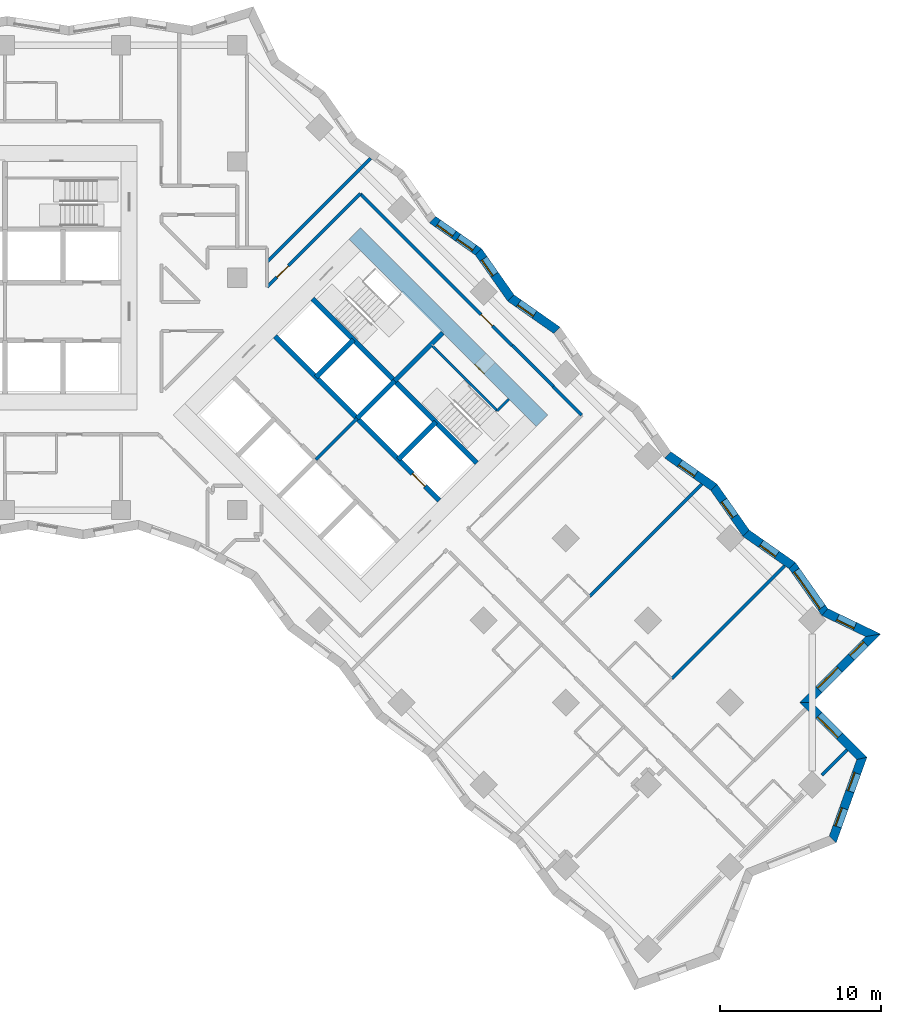
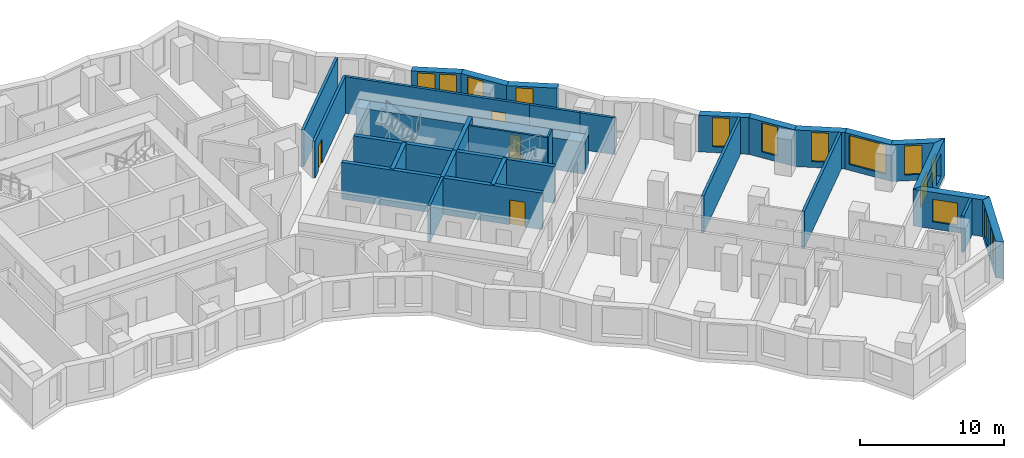
# One storey, part 9 of 12: 30 walls, 14 windows, 4 doors, 18 openings.
"""IFC4 building model written with IfcOpenShell, lengths in metres."""

from ifc_helpers import new_model, si_unit, direction, frame, frame_2d, origin, place, context, subcontext, project, spatial, polyline, rectangle, outline, extrude, material, layer, layer_set, type_object, element, fill, save


model = new_model("IFC4")

# Units and contexts
model_context = context("Model", 3, precision=1e-05, world=origin(), true_north=direction((0.0, 1.0)))
body_context = subcontext(model_context, "Body", "Model", "MODEL_VIEW")
ifc_project = project(units=[si_unit("LENGTHUNIT", "METRE"), si_unit("AREAUNIT", "SQUARE_METRE"), si_unit("VOLUMEUNIT", "CUBIC_METRE"), si_unit("PLANEANGLEUNIT", "RADIAN"), si_unit("MASSUNIT", "GRAM", prefix="KILO")], contexts=[model_context])

# Site, building, storey
site_placement = place(None, origin())
site = spatial("IfcSite", under=ifc_project, at=site_placement, CompositionType="ELEMENT")
building_placement = place(site_placement, origin())
building = spatial("IfcBuilding", under=site, at=building_placement, Name="Windrow Commons", CompositionType="ELEMENT")
storey_placement = place(building_placement, frame((0.0, 0.0, 61.0)))
storey = spatial("IfcBuildingStorey", under=building, at=storey_placement, Name="L16", CompositionType="ELEMENT", Elevation=61.0)

# Wall, openings, windows
ifc_material_1 = material(Name="Brick masonry, red clay brick", Category="masonry")
ifc_layer_1 = layer(ifc_material_1, 0.55)
ifc_layer_set_1 = layer_set([ifc_layer_1], Name="Brick facade wall 550")
wall_type_1 = type_object("IfcWallType", Name="Brick facade wall 550", PredefinedType="SOLIDWALL", material=ifc_layer_set_1)
wall_1_placement = place(storey_placement, frame((116.1058, 22.7825, 0.0), z_axis=(0.0, 0.0, 1.0), x_axis=(0.3387725306, 0.9408683077, 0.0)))
wall_1 = element("IfcWall", 1, at=wall_1_placement, inside=storey, type_object=wall_type_1, Name="Brick facade wall L16 4", PredefinedType="SOLIDWALL", context=body_context, shape_type="SweptSolid", body=[
    extrude(outline(polyline([(-0.124, -0.275), (5.5132, -0.275), (5.1641, 0.275), (0.124, 0.275), (-0.124, -0.275)])), origin(), (0.0, 0.0, 1.0), 3.1),
])
opening_1_placement = place(wall_1_placement, frame((0.8467, 0.0, 0.5)))
opening_1 = element("IfcOpeningElement", 2, at=opening_1_placement, cuts=wall_1, Name="Opening W7D", PredefinedType="OPENING", context=body_context, shape_type="SweptSolid", body=[
    extrude(rectangle(XDim=1.2, YDim=2.45, at=frame_2d((0.6, 1.225))), frame((0.0, 0.285, 0.0), z_axis=(0.0, -1.0, 0.0), x_axis=(1.0, 0.0, 0.0)), (0.0, 0.0, 1.0), 0.57),
])
opening_2_placement = place(wall_1_placement, frame((3.1668, 0.0, 0.5)))
opening_2 = element("IfcOpeningElement", 3, at=opening_2_placement, cuts=wall_1, Name="Opening W7D", PredefinedType="OPENING", context=body_context, shape_type="SweptSolid", body=[
    extrude(rectangle(XDim=1.2, YDim=2.45, at=frame_2d((0.6, 1.225))), frame((0.0, 0.285, 0.0), z_axis=(0.0, -1.0, 0.0), x_axis=(1.0, 0.0, 0.0)), (0.0, 0.0, 1.0), 0.57),
])
ifc_material_2 = material(Name="Clear float glass in anodised aluminium frame", Category="aluminium")
window_type_1 = type_object("IfcWindowType", Name="Window W7 notch 1200x2450", PartitioningType="SINGLE_PANEL", PredefinedType="WINDOW", material=ifc_material_2)
window_1_placement = place(opening_1_placement, origin())
window_1 = element("IfcWindow", 4, at=window_1_placement, inside=storey, type_object=window_type_1, Name="Window L16 4.1", OverallHeight=2.45, OverallWidth=1.2, PartitioningType="SINGLE_PANEL", PredefinedType="WINDOW", context=body_context, shape_type="SweptSolid", body=[
    extrude(rectangle(XDim=1.2, YDim=2.45, at=frame_2d((0.6, 1.225))), frame((0.0, 0.155, 0.0), z_axis=(0.0, -1.0, 0.0), x_axis=(1.0, 0.0, 0.0)), (0.0, 0.0, 1.0), 0.06),
])
fill(opening_1, window_1)
window_2_placement = place(opening_2_placement, origin())
window_2 = element("IfcWindow", 5, at=window_2_placement, inside=storey, type_object=window_type_1, Name="Window L16 4.2", OverallHeight=2.45, OverallWidth=1.2, PartitioningType="SINGLE_PANEL", PredefinedType="WINDOW", context=body_context, shape_type="SweptSolid", body=[
    extrude(rectangle(XDim=1.2, YDim=2.45, at=frame_2d((0.6, 1.225))), frame((0.0, 0.155, 0.0), z_axis=(0.0, -1.0, 0.0), x_axis=(1.0, 0.0, 0.0)), (0.0, 0.0, 1.0), 0.06),
])
fill(opening_2, window_2)

# Wall, opening, window
wall_2_placement = place(storey_placement, frame((117.9144, 27.8055, 0.0), z_axis=(0.0, 0.0, 1.0), x_axis=(-0.7071067812, 0.7071067812, 0.0)))
wall_2 = element("IfcWall", 6, at=wall_2_placement, inside=storey, type_object=wall_type_1, Name="Brick facade wall L16 5", PredefinedType="SOLIDWALL", context=body_context, shape_type="SweptSolid", body=[
    extrude(outline(polyline([(-0.1745, -0.275), (4.6255, -0.275), (5.1754, 0.275), (0.1745, 0.275), (-0.1745, -0.275)])), origin(), (0.0, 0.0, 1.0), 3.1),
])
opening_3_placement = place(wall_2_placement, frame((1.963, 0.0, 0.6)))
opening_3 = element("IfcOpeningElement", 7, at=opening_3_placement, cuts=wall_2, Name="Opening W1L", PredefinedType="OPENING", context=body_context, shape_type="SweptSolid", body=[
    extrude(rectangle(XDim=1.8, YDim=1.9, at=frame_2d((0.9, 0.95))), frame((0.0, 0.285, 0.0), z_axis=(0.0, -1.0, 0.0), x_axis=(1.0, 0.0, 0.0)), (0.0, 0.0, 1.0), 0.57),
])
ifc_material_3 = material(Name="Clear float glass in anodised aluminium frame", Category="aluminium")
window_type_2 = type_object("IfcWindowType", Name="Window W1L bedroom 1800x1900", PartitioningType="SINGLE_PANEL", PredefinedType="WINDOW", material=ifc_material_3)
window_3_placement = place(opening_3_placement, origin())
window_3 = element("IfcWindow", 8, at=window_3_placement, inside=storey, type_object=window_type_2, Name="Window L16 5.1", OverallHeight=1.9, OverallWidth=1.8, PartitioningType="SINGLE_PANEL", PredefinedType="WINDOW", context=body_context, shape_type="SweptSolid", body=[
    extrude(rectangle(XDim=1.8, YDim=1.9, at=frame_2d((0.9, 0.95))), frame((0.0, 0.155, 0.0), z_axis=(0.0, -1.0, 0.0), x_axis=(1.0, 0.0, 0.0)), (0.0, 0.0, 1.0), 0.06),
])
fill(opening_3, window_3)

# Wall, openings, windows
wall_3_placement = place(storey_placement, frame((114.4493, 31.2706, 0.0), z_axis=(0.0, 0.0, 1.0), x_axis=(0.7070982928, 0.7071152695, 0.0)))
wall_3 = element("IfcWall", 9, at=wall_3_placement, inside=storey, type_object=wall_type_1, Name="Brick facade wall L16 6", PredefinedType="SOLIDWALL", context=body_context, shape_type="SweptSolid", body=[
    extrude(outline(polyline([(0.275, -0.275), (6.278, -0.275), (5.5029, 0.275), (-0.275, 0.275), (0.275, -0.275)])), origin(), (0.0, 0.0, 1.0), 3.1),
])
opening_4_placement = place(wall_3_placement, frame((1.1375, 0.0, 0.6)))
opening_4 = element("IfcOpeningElement", 10, at=opening_4_placement, cuts=wall_3, Name="Opening W1L", PredefinedType="OPENING", context=body_context, shape_type="SweptSolid", body=[
    extrude(rectangle(XDim=1.8, YDim=1.9, at=frame_2d((0.9, 0.95))), frame((0.0, 0.285, 0.0), z_axis=(0.0, -1.0, 0.0), x_axis=(1.0, 0.0, 0.0)), (0.0, 0.0, 1.0), 0.57),
])
opening_5_placement = place(wall_3_placement, frame((3.9889, 0.0, 0.6)))
opening_5 = element("IfcOpeningElement", 11, at=opening_5_placement, cuts=wall_3, Name="Opening W7G", PredefinedType="OPENING", context=body_context, shape_type="SweptSolid", body=[
    extrude(rectangle(XDim=1.2, YDim=1.9, at=frame_2d((0.6, 0.95))), frame((0.0, 0.285, 0.0), z_axis=(0.0, -1.0, 0.0), x_axis=(1.0, 0.0, 0.0)), (0.0, 0.0, 1.0), 0.57),
])
window_4_placement = place(opening_4_placement, origin())
window_4 = element("IfcWindow", 12, at=window_4_placement, inside=storey, type_object=window_type_2, Name="Window L16 6.1", OverallHeight=1.9, OverallWidth=1.8, PartitioningType="SINGLE_PANEL", PredefinedType="WINDOW", context=body_context, shape_type="SweptSolid", body=[
    extrude(rectangle(XDim=1.8, YDim=1.9, at=frame_2d((0.9, 0.95))), frame((0.0, 0.155, 0.0), z_axis=(0.0, -1.0, 0.0), x_axis=(1.0, 0.0, 0.0)), (0.0, 0.0, 1.0), 0.06),
])
fill(opening_4, window_4)
ifc_material_4 = material(Name="Clear float glass in anodised aluminium frame", Category="aluminium")
window_type_3 = type_object("IfcWindowType", Name="Window W7 notch 1200x1900", PartitioningType="SINGLE_PANEL", PredefinedType="WINDOW", material=ifc_material_4)
window_5_placement = place(opening_5_placement, origin())
window_5 = element("IfcWindow", 13, at=window_5_placement, inside=storey, type_object=window_type_3, Name="Window L16 6.2", OverallHeight=1.9, OverallWidth=1.2, PartitioningType="SINGLE_PANEL", PredefinedType="WINDOW", context=body_context, shape_type="SweptSolid", body=[
    extrude(rectangle(XDim=1.2, YDim=1.9, at=frame_2d((0.6, 0.95))), frame((0.0, 0.155, 0.0), z_axis=(0.0, -1.0, 0.0), x_axis=(1.0, 0.0, 0.0)), (0.0, 0.0, 1.0), 0.06),
])
fill(opening_5, window_5)

# Wall, opening, window
wall_4_placement = place(storey_placement, frame((118.6144, 35.4358, 0.0), z_axis=(0.0, 0.0, 1.0), x_axis=(-0.9009968815, 0.4338255634, 0.0)))
wall_4 = element("IfcWall", 14, at=wall_4_placement, inside=storey, type_object=wall_type_1, Name="Brick facade wall L16 7", PredefinedType="SOLIDWALL", context=body_context, shape_type="SweptSolid", body=[
    extrude(outline(polyline([(-0.3876, -0.275), (3.254, -0.275), (3.3975, 0.275), (0.3876, 0.275), (-0.3876, -0.275)])), origin(), (0.0, 0.0, 1.0), 3.1),
])
opening_6_placement = place(wall_4_placement, frame((1.2567, 0.0, 0.5)))
opening_6 = element("IfcOpeningElement", 15, at=opening_6_placement, cuts=wall_4, Name="Opening W7D", PredefinedType="OPENING", context=body_context, shape_type="SweptSolid", body=[
    extrude(rectangle(XDim=1.2, YDim=2.45, at=frame_2d((0.6, 1.225))), frame((0.0, 0.285, 0.0), z_axis=(0.0, -1.0, 0.0), x_axis=(1.0, 0.0, 0.0)), (0.0, 0.0, 1.0), 0.57),
])
window_6_placement = place(opening_6_placement, origin())
window_6 = element("IfcWindow", 16, at=window_6_placement, inside=storey, type_object=window_type_1, Name="Window L16 7.1", OverallHeight=2.45, OverallWidth=1.2, PartitioningType="SINGLE_PANEL", PredefinedType="WINDOW", context=body_context, shape_type="SweptSolid", body=[
    extrude(rectangle(XDim=1.2, YDim=2.45, at=frame_2d((0.6, 1.225))), frame((0.0, 0.155, 0.0), z_axis=(0.0, -1.0, 0.0), x_axis=(1.0, 0.0, 0.0)), (0.0, 0.0, 1.0), 0.06),
])
fill(opening_6, window_6)

wall_5_placement = place(storey_placement, frame((115.6179, 36.8786, 0.0), z_axis=(0.0, 0.0, 1.0), x_axis=(-0.5742892267, 0.8186524807, 0.0)))
wall_5 = element("IfcWall", 17, at=wall_5_placement, inside=storey, type_object=wall_type_1, Name="Brick facade wall L16 8", PredefinedType="SOLIDWALL", context=body_context, shape_type="SweptSolid", body=[
    extrude(outline(polyline([(0.0717, -0.275), (3.5614, -0.275), (3.4649, 0.275), (-0.0717, 0.275), (0.0717, -0.275)])), origin(), (0.0, 0.0, 1.0), 3.1),
])
opening_7_placement = place(wall_5_placement, frame((0.3325, 0.0, 0.5)))
opening_7 = element("IfcOpeningElement", 18, at=opening_7_placement, cuts=wall_5, Name="Opening W1T", PredefinedType="OPENING", context=body_context, shape_type="SweptSolid", body=[
    extrude(rectangle(XDim=2.8, YDim=2.45, at=frame_2d((1.4, 1.225))), frame((0.0, 0.285, 0.0), z_axis=(0.0, -1.0, 0.0), x_axis=(1.0, 0.0, 0.0)), (0.0, 0.0, 1.0), 0.57),
])
ifc_material_5 = material(Name="Clear float glass in anodised aluminium frame", Category="aluminium")
window_type_4 = type_object("IfcWindowType", Name="Window W1T bedroom 2800x2450", PartitioningType="SINGLE_PANEL", PredefinedType="WINDOW", material=ifc_material_5)
window_7_placement = place(opening_7_placement, origin())
window_7 = element("IfcWindow", 19, at=window_7_placement, inside=storey, type_object=window_type_4, Name="Window L16 8.1", OverallHeight=2.45, OverallWidth=2.8, PartitioningType="SINGLE_PANEL", PredefinedType="WINDOW", context=body_context, shape_type="SweptSolid", body=[
    extrude(rectangle(XDim=2.8, YDim=2.45, at=frame_2d((1.4, 1.225))), frame((0.0, 0.155, 0.0), z_axis=(0.0, -1.0, 0.0), x_axis=(1.0, 0.0, 0.0)), (0.0, 0.0, 1.0), 0.06),
])
fill(opening_7, window_7)

wall_6_placement = place(storey_placement, frame((113.6003, 39.7547, 0.0), z_axis=(0.0, 0.0, 1.0), x_axis=(-0.8186472188, 0.5742967275, 0.0)))
wall_6 = element("IfcWall", 20, at=wall_6_placement, inside=storey, type_object=wall_type_1, Name="Brick facade wall L16 9", PredefinedType="SOLIDWALL", context=body_context, shape_type="SweptSolid", body=[
    extrude(outline(polyline([(-0.0482, -0.275), (3.4415, -0.275), (3.5379, 0.275), (0.0482, 0.275), (-0.0482, -0.275)])), origin(), (0.0, 0.0, 1.0), 3.1),
])
opening_8_placement = place(wall_6_placement, frame((1.169, 0.0, 0.5)))
opening_8 = element("IfcOpeningElement", 21, at=opening_8_placement, cuts=wall_6, Name="Opening W7D", PredefinedType="OPENING", context=body_context, shape_type="SweptSolid", body=[
    extrude(rectangle(XDim=1.2, YDim=2.45, at=frame_2d((0.6, 1.225))), frame((0.0, 0.285, 0.0), z_axis=(0.0, -1.0, 0.0), x_axis=(1.0, 0.0, 0.0)), (0.0, 0.0, 1.0), 0.57),
])
window_8_placement = place(opening_8_placement, origin())
window_8 = element("IfcWindow", 22, at=window_8_placement, inside=storey, type_object=window_type_1, Name="Window L16 9.1", OverallHeight=2.45, OverallWidth=1.2, PartitioningType="SINGLE_PANEL", PredefinedType="WINDOW", context=body_context, shape_type="SweptSolid", body=[
    extrude(rectangle(XDim=1.2, YDim=2.45, at=frame_2d((0.6, 1.225))), frame((0.0, 0.155, 0.0), z_axis=(0.0, -1.0, 0.0), x_axis=(1.0, 0.0, 0.0)), (0.0, 0.0, 1.0), 0.06),
])
fill(opening_8, window_8)

wall_7_placement = place(storey_placement, frame((110.7435, 41.7588, 0.0), z_axis=(0.0, 0.0, 1.0), x_axis=(-0.5742832552, 0.8186566697, 0.0)))
wall_7 = element("IfcWall", 23, at=wall_7_placement, inside=storey, type_object=wall_type_1, Name="Brick facade wall L16 10", PredefinedType="SOLIDWALL", context=body_context, shape_type="SweptSolid", body=[
    extrude(outline(polyline([(0.0482, -0.275), (3.5379, -0.275), (3.4415, 0.275), (-0.0482, 0.275), (0.0482, -0.275)])), origin(), (0.0, 0.0, 1.0), 3.1),
])
opening_9_placement = place(wall_7_placement, frame((1.2686, 0.0, 0.5)))
opening_9 = element("IfcOpeningElement", 24, at=opening_9_placement, cuts=wall_7, Name="Opening W7D", PredefinedType="OPENING", context=body_context, shape_type="SweptSolid", body=[
    extrude(rectangle(XDim=1.2, YDim=2.45, at=frame_2d((0.6, 1.225))), frame((0.0, 0.285, 0.0), z_axis=(0.0, -1.0, 0.0), x_axis=(1.0, 0.0, 0.0)), (0.0, 0.0, 1.0), 0.57),
])
window_9_placement = place(opening_9_placement, origin())
window_9 = element("IfcWindow", 25, at=window_9_placement, inside=storey, type_object=window_type_1, Name="Window L16 10.1", OverallHeight=2.45, OverallWidth=1.2, PartitioningType="SINGLE_PANEL", PredefinedType="WINDOW", context=body_context, shape_type="SweptSolid", body=[
    extrude(rectangle(XDim=1.2, YDim=2.45, at=frame_2d((0.6, 1.225))), frame((0.0, 0.155, 0.0), z_axis=(0.0, -1.0, 0.0), x_axis=(1.0, 0.0, 0.0)), (0.0, 0.0, 1.0), 0.06),
])
fill(opening_9, window_9)

wall_8_placement = place(storey_placement, frame((108.7394, 44.6157, 0.0), z_axis=(0.0, 0.0, 1.0), x_axis=(-0.8186701418, 0.5742640499, 0.0)))
wall_8 = element("IfcWall", 26, at=wall_8_placement, inside=storey, type_object=wall_type_1, Name="Brick facade wall L16 11", PredefinedType="SOLIDWALL", context=body_context, shape_type="SweptSolid", body=[
    extrude(outline(polyline([(-0.0482, -0.275), (3.4415, -0.275), (3.5379, 0.275), (0.0482, 0.275), (-0.0482, -0.275)])), origin(), (0.0, 0.0, 1.0), 3.1),
])
opening_10_placement = place(wall_8_placement, frame((1.3754, 0.0, 0.5)))
opening_10 = element("IfcOpeningElement", 27, at=opening_10_placement, cuts=wall_8, Name="Opening W7D", PredefinedType="OPENING", context=body_context, shape_type="SweptSolid", body=[
    extrude(rectangle(XDim=1.2, YDim=2.45, at=frame_2d((0.6, 1.225))), frame((0.0, 0.285, 0.0), z_axis=(0.0, -1.0, 0.0), x_axis=(1.0, 0.0, 0.0)), (0.0, 0.0, 1.0), 0.57),
])
window_10_placement = place(opening_10_placement, origin())
window_10 = element("IfcWindow", 28, at=window_10_placement, inside=storey, type_object=window_type_1, Name="Window L16 11.1", OverallHeight=2.45, OverallWidth=1.2, PartitioningType="SINGLE_PANEL", PredefinedType="WINDOW", context=body_context, shape_type="SweptSolid", body=[
    extrude(rectangle(XDim=1.2, YDim=2.45, at=frame_2d((0.6, 1.225))), frame((0.0, 0.155, 0.0), z_axis=(0.0, -1.0, 0.0), x_axis=(1.0, 0.0, 0.0)), (0.0, 0.0, 1.0), 0.06),
])
fill(opening_10, window_10)

wall_9_placement = place(storey_placement, frame((99.0175, 54.3375, 0.0), z_axis=(0.0, 0.0, 1.0), x_axis=(-0.8186566697, 0.5742832552, 0.0)))
wall_9 = element("IfcWall", 29, at=wall_9_placement, inside=storey, type_object=wall_type_1, Name="Brick facade wall L16 15", PredefinedType="SOLIDWALL", context=body_context, shape_type="SweptSolid", body=[
    extrude(outline(polyline([(-0.0482, -0.275), (3.4415, -0.275), (3.5379, 0.275), (0.0482, 0.275), (-0.0482, -0.275)])), origin(), (0.0, 0.0, 1.0), 3.1),
])
opening_11_placement = place(wall_9_placement, frame((1.706, 0.0, 0.5)))
opening_11 = element("IfcOpeningElement", 30, at=opening_11_placement, cuts=wall_9, Name="Opening W7D", PredefinedType="OPENING", context=body_context, shape_type="SweptSolid", body=[
    extrude(rectangle(XDim=1.2, YDim=2.45, at=frame_2d((0.6, 1.225))), frame((0.0, 0.285, 0.0), z_axis=(0.0, -1.0, 0.0), x_axis=(1.0, 0.0, 0.0)), (0.0, 0.0, 1.0), 0.57),
])
window_11_placement = place(opening_11_placement, origin())
window_11 = element("IfcWindow", 31, at=window_11_placement, inside=storey, type_object=window_type_1, Name="Window L16 15.1", OverallHeight=2.45, OverallWidth=1.2, PartitioningType="SINGLE_PANEL", PredefinedType="WINDOW", context=body_context, shape_type="SweptSolid", body=[
    extrude(rectangle(XDim=1.2, YDim=2.45, at=frame_2d((0.6, 1.225))), frame((0.0, 0.155, 0.0), z_axis=(0.0, -1.0, 0.0), x_axis=(1.0, 0.0, 0.0)), (0.0, 0.0, 1.0), 0.06),
])
fill(opening_11, window_11)

wall_10_placement = place(storey_placement, frame((96.1606, 56.3416, 0.0), z_axis=(0.0, 0.0, 1.0), x_axis=(-0.5742832552, 0.8186566697, 0.0)))
wall_10 = element("IfcWall", 32, at=wall_10_placement, inside=storey, type_object=wall_type_1, Name="Brick facade wall L16 16", PredefinedType="SOLIDWALL", context=body_context, shape_type="SweptSolid", body=[
    extrude(outline(polyline([(0.0482, -0.275), (3.5379, -0.275), (3.4415, 0.275), (-0.0482, 0.275), (0.0482, -0.275)])), origin(), (0.0, 0.0, 1.0), 3.1),
])
opening_12_placement = place(wall_10_placement, frame((1.7645, 0.0, 0.5)))
opening_12 = element("IfcOpeningElement", 33, at=opening_12_placement, cuts=wall_10, Name="Opening W7D", PredefinedType="OPENING", context=body_context, shape_type="SweptSolid", body=[
    extrude(rectangle(XDim=1.2, YDim=2.45, at=frame_2d((0.6, 1.225))), frame((0.0, 0.285, 0.0), z_axis=(0.0, -1.0, 0.0), x_axis=(1.0, 0.0, 0.0)), (0.0, 0.0, 1.0), 0.57),
])
window_12_placement = place(opening_12_placement, origin())
window_12 = element("IfcWindow", 34, at=window_12_placement, inside=storey, type_object=window_type_1, Name="Window L16 16.1", OverallHeight=2.45, OverallWidth=1.2, PartitioningType="SINGLE_PANEL", PredefinedType="WINDOW", context=body_context, shape_type="SweptSolid", body=[
    extrude(rectangle(XDim=1.2, YDim=2.45, at=frame_2d((0.6, 1.225))), frame((0.0, 0.155, 0.0), z_axis=(0.0, -1.0, 0.0), x_axis=(1.0, 0.0, 0.0)), (0.0, 0.0, 1.0), 0.06),
])
fill(opening_12, window_12)

# Wall, openings, windows
wall_11_placement = place(storey_placement, frame((94.1565, 59.1985, 0.0), z_axis=(0.0, 0.0, 1.0), x_axis=(-0.8186472188, 0.5742967275, 0.0)))
wall_11 = element("IfcWall", 35, at=wall_11_placement, inside=storey, type_object=wall_type_1, Name="Brick facade wall L16 17", PredefinedType="SOLIDWALL", context=body_context, shape_type="SweptSolid", body=[
    extrude(outline(polyline([(-0.0482, -0.275), (3.4415, -0.275), (3.5379, 0.275), (0.0482, 0.275), (-0.0482, -0.275)])), origin(), (0.0, 0.0, 1.0), 3.1),
])
opening_13_placement = place(wall_11_placement, frame((0.3505, 0.0, 0.5)))
opening_13 = element("IfcOpeningElement", 36, at=opening_13_placement, cuts=wall_11, Name="Opening W7D", PredefinedType="OPENING", context=body_context, shape_type="SweptSolid", body=[
    extrude(rectangle(XDim=1.2, YDim=2.45, at=frame_2d((0.6, 1.225))), frame((0.0, 0.285, 0.0), z_axis=(0.0, -1.0, 0.0), x_axis=(1.0, 0.0, 0.0)), (0.0, 0.0, 1.0), 0.57),
])
opening_14_placement = place(wall_11_placement, frame((1.8712, 0.0, 0.5)))
opening_14 = element("IfcOpeningElement", 37, at=opening_14_placement, cuts=wall_11, Name="Opening W7D", PredefinedType="OPENING", context=body_context, shape_type="SweptSolid", body=[
    extrude(rectangle(XDim=1.2, YDim=2.45, at=frame_2d((0.6, 1.225))), frame((0.0, 0.285, 0.0), z_axis=(0.0, -1.0, 0.0), x_axis=(1.0, 0.0, 0.0)), (0.0, 0.0, 1.0), 0.57),
])
window_13_placement = place(opening_13_placement, origin())
window_13 = element("IfcWindow", 38, at=window_13_placement, inside=storey, type_object=window_type_1, Name="Window L16 17.1", OverallHeight=2.45, OverallWidth=1.2, PartitioningType="SINGLE_PANEL", PredefinedType="WINDOW", context=body_context, shape_type="SweptSolid", body=[
    extrude(rectangle(XDim=1.2, YDim=2.45, at=frame_2d((0.6, 1.225))), frame((0.0, 0.155, 0.0), z_axis=(0.0, -1.0, 0.0), x_axis=(1.0, 0.0, 0.0)), (0.0, 0.0, 1.0), 0.06),
])
fill(opening_13, window_13)
window_14_placement = place(opening_14_placement, origin())
window_14 = element("IfcWindow", 39, at=window_14_placement, inside=storey, type_object=window_type_1, Name="Window L16 17.2", OverallHeight=2.45, OverallWidth=1.2, PartitioningType="SINGLE_PANEL", PredefinedType="WINDOW", context=body_context, shape_type="SweptSolid", body=[
    extrude(rectangle(XDim=1.2, YDim=2.45, at=frame_2d((0.6, 1.225))), frame((0.0, 0.155, 0.0), z_axis=(0.0, -1.0, 0.0), x_axis=(1.0, 0.0, 0.0)), (0.0, 0.0, 1.0), 0.06),
])
fill(opening_14, window_14)

# Wall
ifc_material_6 = material(Name="Blockwork partition", Category="masonry")
ifc_layer_2 = layer(ifc_material_6, 0.2)
ifc_layer_set_2 = layer_set([ifc_layer_2], Name="Fire lobby partition 200")
wall_type_2 = type_object("IfcWallType", Name="Fire lobby partition 200", PredefinedType="PARTITIONING", material=ifc_layer_set_2)
wall_12_placement = place(storey_placement, frame((84.079, 46.332, 0.0), z_axis=(0.0, 0.0, 1.0), x_axis=(0.7071067812, 0.7071067812, 0.0)))
element("IfcWall", 40, at=wall_12_placement, inside=storey, type_object=wall_type_2, Name="W-core-lobby-B-L16", PredefinedType="PARTITIONING", context=body_context, shape_type="SweptSolid", body=[
    extrude(rectangle(XDim=3.6, YDim=0.2, at=frame_2d((1.8, 0.0))), origin(), (0.0, 0.0, 1.0), 3.1),
])

# Wall, opening, door
ifc_material_7 = material(Name="Blockwork partition", Category="masonry")
ifc_layer_3 = layer(ifc_material_7, 0.2)
ifc_layer_set_3 = layer_set([ifc_layer_3], Name="IW-CORRIDOR-200")
wall_type_3 = type_object("IfcWallType", Name="IW-CORRIDOR-200", PredefinedType="PARTITIONING", material=ifc_layer_set_3)
wall_13_placement = place(storey_placement, frame((86.833, 62.805, 0.0), z_axis=(0.0, 0.0, 1.0), x_axis=(0.7072045138, -0.7070090351, 0.0)))
wall_13 = element("IfcWall", 41, at=wall_13_placement, inside=storey, type_object=wall_type_3, Name="W-L16-W004", PredefinedType="PARTITIONING", context=body_context, shape_type="SweptSolid", body=[
    extrude(rectangle(XDim=13.3007, YDim=0.2, at=frame_2d((6.6504, 0.0))), origin(), (0.0, 0.0, 1.0), 3.1),
])
opening_15_placement = place(wall_13_placement, frame((10.5864, 0.0, 0.0)))
opening_15 = element("IfcOpeningElement", 42, at=opening_15_placement, cuts=wall_13, Name="Opening D310F", PredefinedType="OPENING", context=body_context, shape_type="SweptSolid", body=[
    extrude(rectangle(XDim=1.0, YDim=2.1, at=frame_2d((0.5, 1.05))), frame((0.0, 0.11, 0.0), z_axis=(0.0, -1.0, 0.0), x_axis=(1.0, 0.0, 0.0)), (0.0, 0.0, 1.0), 0.22),
])
ifc_material_8 = material(Name="Timber door leaf", Category="wood")
door_type_1 = type_object("IfcDoorType", Name="DT-AMENITY-1000", OperationType="SINGLE_SWING_LEFT", PredefinedType="DOOR", material=ifc_material_8)
door_1_placement = place(opening_15_placement, origin())
door_1 = element("IfcDoor", 43, at=door_1_placement, inside=storey, type_object=door_type_1, Name="D-L16-D037", OperationType="SINGLE_SWING_LEFT", OverallHeight=2.1, OverallWidth=1.0, PredefinedType="DOOR", context=body_context, shape_type="SweptSolid", body=[
    extrude(rectangle(XDim=1.0, YDim=2.1, at=frame_2d((0.5, 1.05))), frame((0.0, 0.025, 0.0), z_axis=(0.0, -1.0, 0.0), x_axis=(1.0, 0.0, 0.0)), (0.0, 0.0, 1.0), 0.05),
])
fill(opening_15, door_1)

wall_14_placement = place(storey_placement, frame((81.053, 57.021, 0.0), z_axis=(0.0, 0.0, 1.0), x_axis=(0.7069845395, 0.7072290017, 0.0)))
wall_14 = element("IfcWall", 44, at=wall_14_placement, inside=storey, type_object=wall_type_3, Name="W-L16-W017", PredefinedType="PARTITIONING", context=body_context, shape_type="SweptSolid", body=[
    extrude(rectangle(XDim=8.1812, YDim=0.2, at=frame_2d((4.0906, 0.0))), origin(), (0.0, 0.0, 1.0), 3.1),
])
opening_16_placement = place(wall_14_placement, frame((0.8597, 0.0, 0.0)))
opening_16 = element("IfcOpeningElement", 45, at=opening_16_placement, cuts=wall_14, Name="Opening D310F", PredefinedType="OPENING", context=body_context, shape_type="SweptSolid", body=[
    extrude(rectangle(XDim=1.0, YDim=2.1, at=frame_2d((0.5, 1.05))), frame((0.0, 0.11, 0.0), z_axis=(0.0, -1.0, 0.0), x_axis=(1.0, 0.0, 0.0)), (0.0, 0.0, 1.0), 0.22),
])
door_2_placement = place(opening_16_placement, origin())
door_2 = element("IfcDoor", 46, at=door_2_placement, inside=storey, type_object=door_type_1, Name="D-L16-D036", OperationType="SINGLE_SWING_RIGHT", OverallHeight=2.1, OverallWidth=1.0, PredefinedType="DOOR", context=body_context, shape_type="SweptSolid", body=[
    extrude(rectangle(XDim=1.0, YDim=2.1, at=frame_2d((0.5, 1.05))), frame((0.0, 0.025, 0.0), z_axis=(0.0, -1.0, 0.0), x_axis=(1.0, 0.0, 0.0)), (0.0, 0.0, 1.0), 0.05),
])
fill(opening_16, door_2)

# Walls
wall_15_placement = place(storey_placement, frame((96.2437, 53.4057, 0.0), z_axis=(0.0, 0.0, 1.0), x_axis=(0.7068288851, -0.7073845681, 0.0)))
element("IfcWall", 47, at=wall_15_placement, inside=storey, type_object=wall_type_3, Name="W-L16-W054", PredefinedType="PARTITIONING", context=body_context, shape_type="SweptSolid", body=[
    extrude(rectangle(XDim=3.5992, YDim=0.2, at=frame_2d((1.7996, 0.0))), origin(), (0.0, 0.0, 1.0), 3.1),
])
wall_16_placement = place(storey_placement, frame((98.783, 50.855, 0.0), z_axis=(0.0, 0.0, 1.0), x_axis=(0.7071067812, -0.7071067812, 0.0)))
element("IfcWall", 48, at=wall_16_placement, inside=storey, type_object=wall_type_3, Name="W-L16-W070", PredefinedType="PARTITIONING", context=body_context, shape_type="SweptSolid", body=[
    extrude(rectangle(XDim=2.5003, YDim=0.2, at=frame_2d((1.2502, 0.0))), origin(), (0.0, 0.0, 1.0), 3.1),
])
ifc_material_9 = material(Name="Blockwork partition", Category="masonry")
ifc_layer_4 = layer(ifc_material_9, 0.2)
ifc_layer_set_4 = layer_set([ifc_layer_4], Name="IW-PARTY-200")
wall_type_4 = type_object("IfcWallType", Name="IW-PARTY-200", PredefinedType="PARTITIONING", material=ifc_layer_set_4)
wall_17_placement = place(storey_placement, frame((106.1398, 32.7562, 0.0), z_axis=(0.0, 0.0, 1.0), x_axis=(0.7071017243, 0.707111838, 0.0)))
element("IfcWall", 49, at=wall_17_placement, inside=storey, type_object=wall_type_4, Name="W-L16-W012", PredefinedType="PARTITIONING", context=body_context, shape_type="SweptSolid", body=[
    extrude(rectangle(XDim=9.8875, YDim=0.2, at=frame_2d((4.9437, 0.0))), origin(), (0.0, 0.0, 1.0), 3.1),
])
wall_18_placement = place(storey_placement, frame((101.0486, 37.8474, 0.0), z_axis=(0.0, 0.0, 1.0), x_axis=(0.7071067812, 0.7071067812, 0.0)))
element("IfcWall", 50, at=wall_18_placement, inside=storey, type_object=wall_type_4, Name="W-L16-W013", PredefinedType="PARTITIONING", context=body_context, shape_type="SweptSolid", body=[
    extrude(rectangle(XDim=9.8305, YDim=0.2, at=frame_2d((4.9153, 0.0))), origin(), (0.0, 0.0, 1.0), 3.1),
])
wall_19_placement = place(storey_placement, frame((81.0489, 58.5771, 0.0), z_axis=(0.0, 0.0, 1.0), x_axis=(0.7071067812, 0.7071067812, 0.0)))
element("IfcWall", 51, at=wall_19_placement, inside=storey, type_object=wall_type_4, Name="W-L16-W016", PredefinedType="PARTITIONING", context=body_context, shape_type="SweptSolid", body=[
    extrude(rectangle(XDim=9.0858, YDim=0.2, at=frame_2d((4.5429, 0.0))), origin(), (0.0, 0.0, 1.0), 3.1),
])
wall_20_placement = place(storey_placement, frame((115.4375, 26.7805, 0.0), z_axis=(0.0, 0.0, 1.0), x_axis=(0.7071067812, 0.7071067812, 0.0)))
element("IfcWall", 52, at=wall_20_placement, inside=storey, type_object=wall_type_4, Name="W-L16-W112", PredefinedType="PARTITIONING", context=body_context, shape_type="SweptSolid", body=[
    extrude(rectangle(XDim=2.2012, YDim=0.2, at=frame_2d((1.1006, 0.0))), origin(), (0.0, 0.0, 1.0), 3.1),
])

# Wall, opening, door
ifc_material_10 = material(Name="Concrete C60/75", Category="concrete")
ifc_layer_5 = layer(ifc_material_10, 1.0)
ifc_layer_set_5 = layer_set([ifc_layer_5], Name="RC CORE WALL 1000 C60/75")
wall_type_5 = type_object("IfcWallType", Name="RC CORE WALL 1000 C60/75", PredefinedType="SHEAR", material=ifc_layer_set_5)
wall_21_placement = place(storey_placement, frame((86.4832, 60.3327, -0.3), z_axis=(0.0, 0.0, 1.0), x_axis=(0.70710983, -0.7071037324, 0.0)))
wall_21 = element("IfcWall", 53, at=wall_21_placement, inside=storey, type_object=wall_type_5, Name="Core B wall outer-N", PredefinedType="SHEAR", context=body_context, shape_type="SweptSolid", body=[
    extrude(rectangle(XDim=16.4, YDim=1.0, at=frame_2d((8.2, 0.0))), origin(), (0.0, 0.0, 1.0), 2.7),
])
opening_17_placement = place(wall_21_placement, frame((11.0, 0.0, 0.3)))
opening_17 = element("IfcOpeningElement", 54, at=opening_17_placement, cuts=wall_21, Name="Opening D9", PredefinedType="OPENING", context=body_context, shape_type="SweptSolid", body=[
    extrude(rectangle(XDim=0.8, YDim=2.1, at=frame_2d((0.4, 1.05))), frame((0.0, 0.51, 0.0), z_axis=(0.0, -1.0, 0.0), x_axis=(1.0, 0.0, 0.0)), (0.0, 0.0, 1.0), 1.02),
])
ifc_material_11 = material(Name="Steel fire door leaf", Category="steel")
door_type_2 = type_object("IfcDoorType", Name="Riser access door 800", OperationType="SINGLE_SWING_LEFT", PredefinedType="DOOR", material=ifc_material_11)
door_3_placement = place(opening_17_placement, origin())
door_3 = element("IfcDoor", 55, at=door_3_placement, inside=storey, type_object=door_type_2, Name="Riser access door", OperationType="SINGLE_SWING_RIGHT", OverallHeight=2.1, OverallWidth=0.8, PredefinedType="DOOR", context=body_context, shape_type="SweptSolid", body=[
    extrude(rectangle(XDim=0.8, YDim=2.1, at=frame_2d((0.4, 1.05))), frame((0.0, -0.44, 0.0), z_axis=(0.0, -1.0, 0.0), x_axis=(1.0, 0.0, 0.0)), (0.0, 0.0, 1.0), 0.05),
])
fill(opening_17, door_3)

# Walls
ifc_material_12 = material(Name="Concrete C60/75", Category="concrete")
ifc_layer_6 = layer(ifc_material_12, 0.3)
ifc_layer_set_6 = layer_set([ifc_layer_6], Name="RC SHAFT WALL 300 C60/75")
wall_type_6 = type_object("IfcWallType", Name="RC SHAFT WALL 300 C60/75", PredefinedType="SOLIDWALL", material=ifc_layer_set_6)
wall_22_placement = place(storey_placement, frame((84.079, 51.4232, 0.0), z_axis=(0.0, 0.0, 1.0), x_axis=(0.7071219326, 0.7070916295, 0.0)))
element("IfcWall", 56, at=wall_22_placement, inside=storey, type_object=wall_type_6, Name="Core B wall shaft-N1", PredefinedType="SOLIDWALL", context=body_context, shape_type="SweptSolid", body=[
    extrude(rectangle(XDim=3.3, YDim=0.3, at=frame_2d((1.65, 0.0))), origin(), (0.0, 0.0, 1.0), 3.1),
])
for number, where, z_axis, x_axis, name in (
    (57, (86.6246, 48.8776, 0.0), (0.0, 0.0, 1.0), (0.7071067812, 0.7071067812, 0.0), "Core B wall shaft-N2"),
    (58, (89.1702, 46.332, 0.0), (0.0, 0.0, 1.0), (0.7071067812, 0.7071067812, 0.0), "Core B wall shaft-N3"),
):
    element("IfcWall", number, at=place(storey_placement, frame(where, z_axis=z_axis, x_axis=x_axis)), inside=storey, type_object=wall_type_6, Name=name, PredefinedType="SOLIDWALL", context=body_context, shape_type="SweptSolid", body=[
        extrude(rectangle(XDim=3.3001, YDim=0.3, at=frame_2d((1.6501, 0.0))), origin(), (0.0, 0.0, 1.0), 3.1),
    ])

# Wall, opening, door
wall_23_placement = place(storey_placement, frame((81.5335, 53.9688, 0.0), z_axis=(0.0, 0.0, 1.0), x_axis=(0.707103309, -0.7071102534, 0.0)))
wall_23 = element("IfcWall", 59, at=wall_23_placement, inside=storey, type_object=wall_type_6, Name="Core B wall lobby-N", PredefinedType="SOLIDWALL", context=body_context, shape_type="SweptSolid", body=[
    extrude(rectangle(XDim=14.4, YDim=0.3, at=frame_2d((7.2, 0.0))), origin(), (0.0, 0.0, 1.0), 3.1),
])
opening_18_placement = place(wall_23_placement, frame((12.05, 0.0, 0.0)))
opening_18 = element("IfcOpeningElement", 60, at=opening_18_placement, cuts=wall_23, Name="Opening LD", PredefinedType="OPENING", context=body_context, shape_type="SweptSolid", body=[
    extrude(rectangle(XDim=1.1, YDim=2.1, at=frame_2d((0.55, 1.05))), frame((0.0, 0.16, 0.0), z_axis=(0.0, -1.0, 0.0), x_axis=(1.0, 0.0, 0.0)), (0.0, 0.0, 1.0), 0.32),
])
ifc_material_13 = material(Name="Stainless steel door leaf", Category="steel")
door_type_3 = type_object("IfcDoorType", Name="Lift landing door 1100", OperationType="SLIDING_TO_LEFT", PredefinedType="DOOR", material=ifc_material_13)
door_4_placement = place(opening_18_placement, origin())
door_4 = element("IfcDoor", 61, at=door_4_placement, inside=storey, type_object=door_type_3, Name="Lift landing door", OperationType="SLIDING_TO_RIGHT", OverallHeight=2.1, OverallWidth=1.1, PredefinedType="DOOR", context=body_context, shape_type="SweptSolid", body=[
    extrude(rectangle(XDim=1.1, YDim=2.1, at=frame_2d((0.55, 1.05))), frame((0.0, 0.025, 0.0), z_axis=(0.0, -1.0, 0.0), x_axis=(1.0, 0.0, 0.0)), (0.0, 0.0, 1.0), 0.05),
])
fill(opening_18, door_4)

# Walls
for number, where, z_axis, x_axis, name in (
    (62, (83.8669, 56.3022, 0.0), (0.0, 0.0, 1.0), (0.7071137256, -0.7070998367, 0.0), "Core B wall stair-S"),
    (63, (88.9581, 51.2111, 0.0), (0.0, 0.0, 1.0), (0.7070998367, -0.7071137256, 0.0), "Core B wall stair-S2"),
):
    element("IfcWall", number, at=place(storey_placement, frame(where, z_axis=z_axis, x_axis=x_axis)), inside=storey, type_object=wall_type_6, Name=name, PredefinedType="SOLIDWALL", context=body_context, shape_type="SweptSolid", body=[
        extrude(rectangle(XDim=7.2, YDim=0.3, at=frame_2d((3.6, 0.0))), origin(), (0.0, 0.0, 1.0), 3.1),
    ])
wall_24_placement = place(storey_placement, frame((88.9581, 51.2111, 0.0), z_axis=(0.0, 0.0, 1.0), x_axis=(0.7071067812, 0.7071067812, 0.0)))
element("IfcWall", 64, at=wall_24_placement, inside=storey, type_object=wall_type_6, Name="Core B wall stair-mid", PredefinedType="SOLIDWALL", context=body_context, shape_type="SweptSolid", body=[
    extrude(rectangle(XDim=4.1999, YDim=0.3, at=frame_2d((2.1, 0.0))), origin(), (0.0, 0.0, 1.0), 3.1),
])
ifc_material_14 = material(Name="Blockwork partition", Category="masonry")
ifc_layer_7 = layer(ifc_material_14, 0.15)
ifc_layer_set_7 = layer_set([ifc_layer_7], Name="Riser partition 150")
wall_type_7 = type_object("IfcWallType", Name="Riser partition 150", PredefinedType="PARTITIONING", material=ifc_layer_set_7)
wall_25_placement = place(storey_placement, frame((91.3127, 53.3536, 0.0), z_axis=(0.0, 0.0, 1.0), x_axis=(0.7071067812, -0.7071067812, 0.0)))
element("IfcWall", 65, at=wall_25_placement, inside=storey, type_object=wall_type_7, Name="W-core-strip-B-L16", PredefinedType="PARTITIONING", context=body_context, shape_type="SweptSolid", body=[
    extrude(rectangle(XDim=5.6501, YDim=0.15, at=frame_2d((2.8251, 0.0))), origin(), (0.0, 0.0, 1.0), 3.1),
])
wall_26_placement = place(storey_placement, frame((95.3079, 49.3584, 0.0), z_axis=(0.0, 0.0, 1.0), x_axis=(0.70705776, 0.707155799, 0.0)))
element("IfcWall", 66, at=wall_26_placement, inside=storey, type_object=wall_type_7, Name="W-core-stripx-B-L16-1", PredefinedType="PARTITIONING", context=body_context, shape_type="SweptSolid", body=[
    extrude(rectangle(XDim=1.02, YDim=0.15, at=frame_2d((0.51, 0.0))), origin(), (0.0, 0.0, 1.0), 3.1),
])

save(model, "model.ifc")
